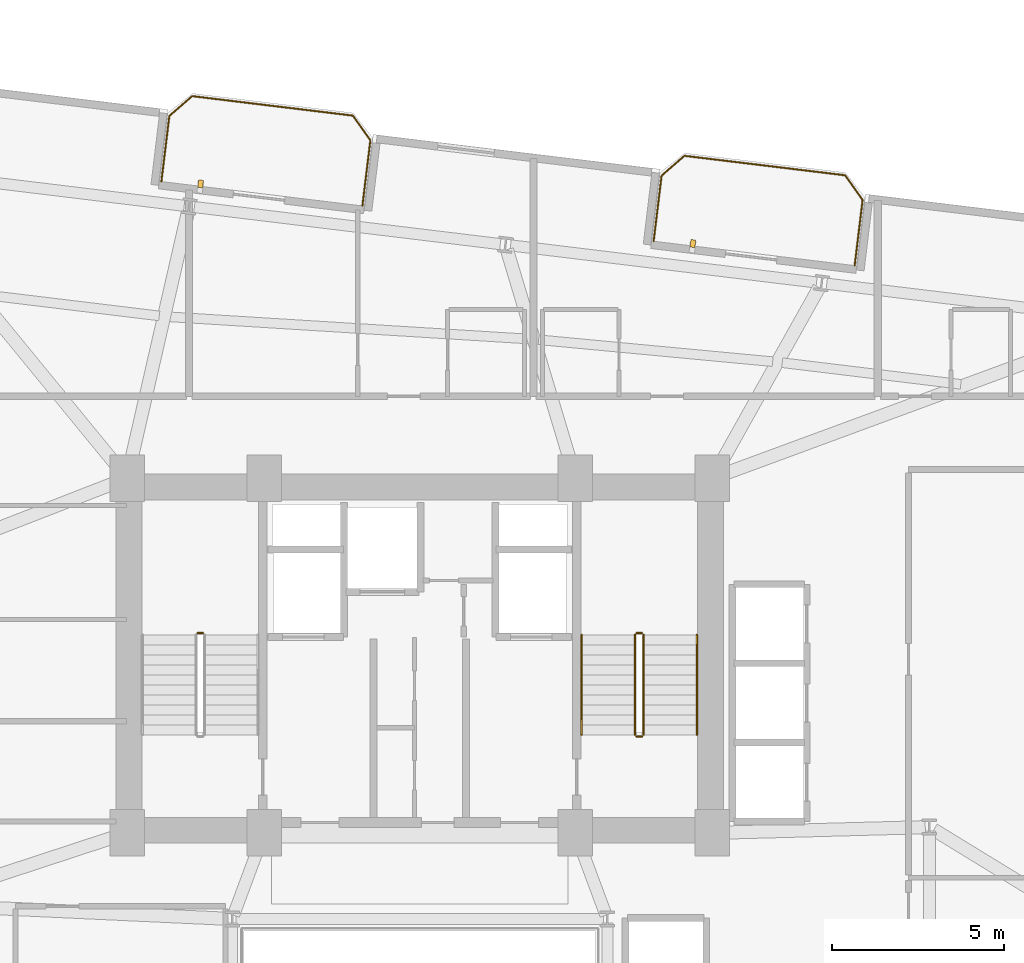
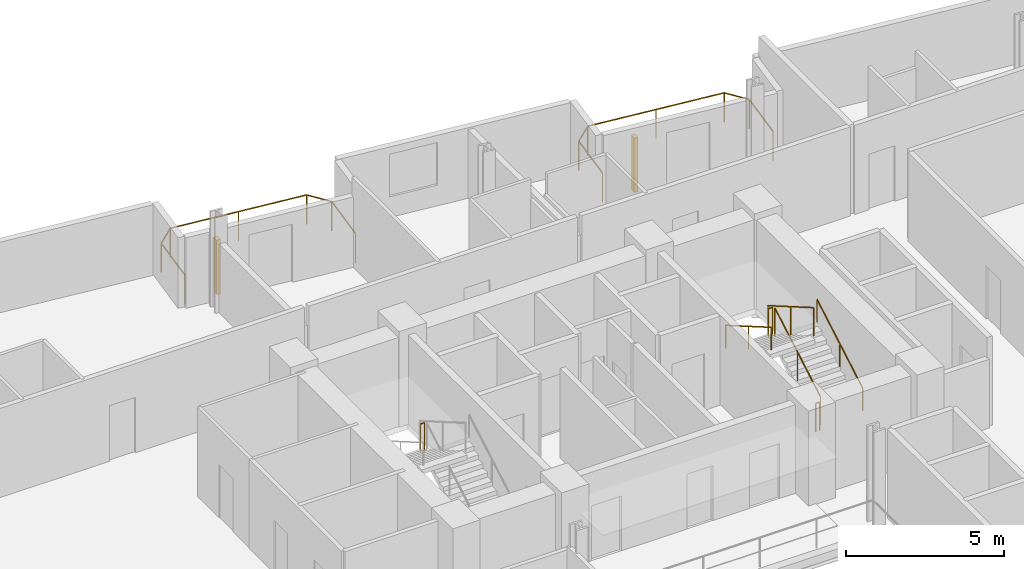
# One storey, part 26 of 26: 9 railings, 2 shading devices.
"""IFC4 building model written with IfcOpenShell, lengths in metres."""

from ifc_helpers import new_model, si_unit, direction, frame, origin, origin_2d, place, context, subcontext, project, spatial, rectangle, circle, extrude, source, transform, mapped, material, type_object, element, save


model = new_model("IFC4")

# Units and contexts
model_context = context("Model", 3, precision=1e-05, world=origin(), true_north=direction((0.0, 1.0)))
body_context = subcontext(model_context, "Body", "Model", "MODEL_VIEW")
ifc_project = project(units=[si_unit("LENGTHUNIT", "METRE"), si_unit("AREAUNIT", "SQUARE_METRE"), si_unit("VOLUMEUNIT", "CUBIC_METRE"), si_unit("PLANEANGLEUNIT", "RADIAN"), si_unit("MASSUNIT", "GRAM", prefix="KILO")], contexts=[model_context])

# Site, building, storey
site_placement = place(None, origin())
site = spatial("IfcSite", under=ifc_project, at=site_placement, CompositionType="ELEMENT")
building_placement = place(site_placement, origin())
building = spatial("IfcBuilding", under=site, at=building_placement, Name="Varnelok Gate Tower", CompositionType="ELEMENT")
storey_placement = place(building_placement, frame((0.0, 0.0, 125.39990234375)))
storey = spatial("IfcBuildingStorey", under=building, at=storey_placement, Name="L31", CompositionType="ELEMENT", Elevation=125.39990234375)

# Railings
ifc_material_1 = material(Name="Low-E Laminated Double Glazing IGU", Category="glass")
railing_type_1 = type_object("IfcRailingType", Name="RL-BALC-1150", PredefinedType="BALUSTRADE", material=ifc_material_1)
railing_1_placement = place(storey_placement, frame((31.697021484375, 47.66552734375, 0.0)))
element("IfcRailing", 1, at=railing_1_placement, inside=storey, type_object=railing_type_1, Name="L31 North Terrace Balustrade 3", PredefinedType="BALUSTRADE", context=body_context, shape_type="SweptSolid", body=[
    extrude(circle(Radius=0.02392578125, at=origin_2d()), frame((0.0, 0.0, 1.1259765625), z_axis=(0.120293392036, 0.992738384386, 0.0), x_axis=(-0.992738384386, 0.120293392036, 0.0)), (0.0, 0.0, 1.0), 1.919921875),
    extrude(circle(Radius=0.02392578125, at=origin_2d()), frame((0.23095703125, 1.906005859375, 1.1259765625), z_axis=(0.756422670136, 0.654083132411, 0.0), x_axis=(-0.654083132411, 0.756422670136, 0.0)), (0.0, 0.0, 1.0), 0.8779296875),
    extrude(circle(Radius=0.02392578125, at=origin_2d()), frame((0.89501953125, 2.480224609375, 1.1259765625), z_axis=(0.992730585037, -0.120357739811, 0.0), x_axis=(0.120357739811, 0.992730585037, 0.0)), (0.0, 0.0, 1.0), 4.699951171875),
    extrude(circle(Radius=0.02392578125, at=origin_2d()), frame((5.560791015625, 1.91455078125, 1.1259765625), z_axis=(0.578287426437, -0.81583310329, 0.0), x_axis=(0.81583310329, 0.578287426437, 0.0)), (0.0, 0.0, 1.0), 0.877685546875),
    extrude(circle(Radius=0.02392578125, at=origin_2d()), frame((6.068359375, 1.198486328125, 1.1259765625), z_axis=(-0.120418709125, -0.992723191274, 0.0), x_axis=(0.992723191274, -0.120418709125, 0.0)), (0.0, 0.0, 1.0), 1.919921875),
    extrude(circle(Radius=0.02099609375, at=origin_2d()), origin(), (0.0, 0.0, 1.0), 1.101806640625),
    extrude(circle(Radius=0.02099609375, at=origin_2d()), frame((0.23095703125, 1.906005859375, 0.0)), (0.0, 0.0, 1.0), 1.101806640625),
    extrude(circle(Radius=0.02099609375, at=origin_2d()), frame((0.89501953125, 2.480224609375, 0.0)), (0.0, 0.0, 1.0), 1.101806640625),
    extrude(circle(Radius=0.02099609375, at=origin_2d()), frame((3.22802734375, 2.197265625, 0.0)), (0.0, 0.0, 1.0), 1.101806640625),
    extrude(circle(Radius=0.02099609375, at=origin_2d()), frame((5.560791015625, 1.91455078125, 0.0)), (0.0, 0.0, 1.0), 1.101806640625),
    extrude(circle(Radius=0.02099609375, at=origin_2d()), frame((6.068359375, 1.198486328125, 0.0)), (0.0, 0.0, 1.0), 1.101806640625),
    extrude(circle(Radius=0.02099609375, at=origin_2d()), frame((5.837158203125, -0.70751953125, 0.0)), (0.0, 0.0, 1.0), 1.101806640625),
])
railing_2_placement = place(storey_placement, frame((45.992431640625, 45.9326171875, 0.0)))
element("IfcRailing", 2, at=railing_2_placement, inside=storey, type_object=railing_type_1, Name="L31 North Terrace Balustrade 4", PredefinedType="BALUSTRADE", context=body_context, shape_type="SweptSolid", body=[
    extrude(circle(Radius=0.02392578125, at=origin_2d()), frame((0.0, 0.0, 1.1259765625), z_axis=(0.120293392036, 0.992738384386, 0.0), x_axis=(-0.992738384386, 0.120293392036, 0.0)), (0.0, 0.0, 1.0), 1.919921875),
    extrude(circle(Radius=0.02392578125, at=origin_2d()), frame((0.23095703125, 1.906005859375, 1.1259765625), z_axis=(0.756422670136, 0.654083132411, 0.0), x_axis=(-0.654083132411, 0.756422670136, 0.0)), (0.0, 0.0, 1.0), 0.8779296875),
    extrude(circle(Radius=0.02392578125, at=origin_2d()), frame((0.89501953125, 2.480224609375, 1.1259765625), z_axis=(0.992730585037, -0.120357739811, 0.0), x_axis=(0.120357739811, 0.992730585037, 0.0)), (0.0, 0.0, 1.0), 4.699951171875),
    extrude(circle(Radius=0.02392578125, at=origin_2d()), frame((5.560791015625, 1.91455078125, 1.1259765625), z_axis=(0.57815621837, -0.815926091726, 0.0), x_axis=(0.815926091726, 0.57815621837, 0.0)), (0.0, 0.0, 1.0), 0.8779296875),
    extrude(circle(Radius=0.02392578125, at=origin_2d()), frame((6.068359375, 1.1982421875, 1.1259765625), z_axis=(-0.120418709125, -0.992723191274, 0.0), x_axis=(0.992723191274, -0.120418709125, 0.0)), (0.0, 0.0, 1.0), 1.919921875),
    extrude(circle(Radius=0.02099609375, at=origin_2d()), origin(), (0.0, 0.0, 1.0), 1.101806640625),
    extrude(circle(Radius=0.02099609375, at=origin_2d()), frame((0.23095703125, 1.906005859375, 0.0)), (0.0, 0.0, 1.0), 1.101806640625),
    extrude(circle(Radius=0.02099609375, at=origin_2d()), frame((0.89501953125, 2.480224609375, 0.0)), (0.0, 0.0, 1.0), 1.101806640625),
    extrude(circle(Radius=0.02099609375, at=origin_2d()), frame((3.22802734375, 2.197265625, 0.0)), (0.0, 0.0, 1.0), 1.101806640625),
    extrude(circle(Radius=0.02099609375, at=origin_2d()), frame((5.560791015625, 1.91455078125, 0.0)), (0.0, 0.0, 1.0), 1.101806640625),
    extrude(circle(Radius=0.02099609375, at=origin_2d()), frame((6.068359375, 1.1982421875, 0.0)), (0.0, 0.0, 1.0), 1.101806640625),
    extrude(circle(Radius=0.02099609375, at=origin_2d()), frame((5.837158203125, -0.707763671875, 0.0)), (0.0, 0.0, 1.0), 1.101806640625),
])
ifc_material_2 = material(Name="Brushed Stainless Steel AISI 316", Category="steel")
railing_type_2 = type_object("IfcRailingType", Name="RL-HANDRAIL-900", PredefinedType="HANDRAIL", material=ifc_material_2)
railing_3_placement = place(storey_placement, frame((47.25, 31.60009765625, 0.168212890625)))
element("IfcRailing", 3, at=railing_3_placement, inside=storey, type_object=railing_type_2, Name="L31 ST-2 stair handrail 1", PredefinedType="HANDRAIL", context=body_context, shape_type="SweptSolid", body=[
    extrude(circle(Radius=0.02392578125, at=origin_2d()), frame((0.0, 0.0, 0.8759765625), z_axis=(0.0, 0.865038774852, 0.501705010941), x_axis=(-1.0, 0.0, 0.0)), (0.0, 0.0, 1.0), 3.352294921875),
    extrude(circle(Radius=0.02099609375, at=origin_2d()), origin(), (0.0, 0.0, 1.0), 0.851806640625),
    extrude(circle(Radius=0.02099609375, at=origin_2d()), frame((0.0, 1.449951171875, 0.8408203125)), (0.0, 0.0, 1.0), 0.851806640625),
    extrude(circle(Radius=0.02099609375, at=origin_2d()), frame((0.0, 2.89990234375, 1.681884765625)), (0.0, 0.0, 1.0), 0.851806640625),
])
railing_4_placement = place(storey_placement, frame((43.89990234375, 34.5, 2.018310546875)))
element("IfcRailing", 4, at=railing_4_placement, inside=storey, type_object=railing_type_2, Name="L31 ST-2 stair handrail 2", PredefinedType="HANDRAIL", context=body_context, shape_type="SweptSolid", body=[
    extrude(circle(Radius=0.02392578125, at=origin_2d()), frame((0.0, 0.0, 0.8759765625), z_axis=(0.0, -0.865038774852, 0.501705010941), x_axis=(1.0, 0.0, 0.0)), (0.0, 0.0, 1.0), 3.352294921875),
    extrude(circle(Radius=0.02099609375, at=origin_2d()), origin(), (0.0, 0.0, 1.0), 0.851806640625),
    extrude(circle(Radius=0.02099609375, at=origin_2d()), frame((0.0, -1.449951171875, 0.8408203125)), (0.0, 0.0, 1.0), 0.851806640625),
    extrude(circle(Radius=0.02099609375, at=origin_2d()), frame((0.0, -2.89990234375, 1.681884765625)), (0.0, 0.0, 1.0), 0.851806640625),
])
ifc_material_3 = material(Name="Galvanized Steel Grade S350GD", Category="steel")
railing_type_3 = type_object("IfcRailingType", Name="RL-STAIR-GUARD1120", PredefinedType="GUARDRAIL", material=ifc_material_3)
railing_5_placement = place(storey_placement, frame((32.89990234375, 34.550048828125, 1.85009765625)))
element("IfcRailing", 5, at=railing_5_placement, inside=storey, type_object=railing_type_3, Name="L31 ST-1 stair guard 2", PredefinedType="GUARDRAIL", context=body_context, shape_type="SweptSolid", body=[
    extrude(circle(Radius=0.02392578125, at=origin_2d()), frame((0.0, 0.0, 1.09619140625), z_axis=(-1.0, 0.0, 0.0), x_axis=(0.0, -1.0, 0.0)), (0.0, 0.0, 1.0), 0.14990234375),
    extrude(circle(Radius=0.02099609375, at=origin_2d()), origin(), (0.0, 0.0, 1.0), 1.072021484375),
    extrude(circle(Radius=0.02099609375, at=origin_2d()), frame((-0.14990234375, 0.0, 0.0)), (0.0, 0.0, 1.0), 1.072021484375),
])
railing_6_placement = place(storey_placement, frame((45.699951171875, 31.60009765625, 0.168212890625)))
element("IfcRailing", 6, at=railing_6_placement, inside=storey, type_object=railing_type_3, Name="L31 ST-2 stair guard 1", PredefinedType="GUARDRAIL", context=body_context, shape_type="SweptSolid", body=[
    extrude(circle(Radius=0.02392578125, at=origin_2d()), frame((0.0, 0.0, 1.09619140625), z_axis=(0.0, 0.865038774852, 0.501705010941), x_axis=(-1.0, 0.0, 0.0)), (0.0, 0.0, 1.0), 3.352294921875),
    extrude(circle(Radius=0.02099609375, at=origin_2d()), origin(), (0.0, 0.0, 1.0), 1.072021484375),
    extrude(circle(Radius=0.02099609375, at=origin_2d()), frame((0.0, 1.449951171875, 0.8408203125)), (0.0, 0.0, 1.0), 1.072021484375),
    extrude(circle(Radius=0.02099609375, at=origin_2d()), frame((0.0, 2.89990234375, 1.681884765625)), (0.0, 0.0, 1.0), 1.072021484375),
])
railing_7_placement = place(storey_placement, frame((45.64990234375, 34.550048828125, 1.85009765625)))
element("IfcRailing", 7, at=railing_7_placement, inside=storey, type_object=railing_type_3, Name="L31 ST-2 stair guard 2", PredefinedType="GUARDRAIL", context=body_context, shape_type="SweptSolid", body=[
    extrude(circle(Radius=0.02392578125, at=origin_2d()), frame((0.0, 0.0, 1.09619140625), z_axis=(-1.0, 0.0, 0.0), x_axis=(0.0, -1.0, 0.0)), (0.0, 0.0, 1.0), 0.14990234375),
    extrude(circle(Radius=0.02099609375, at=origin_2d()), origin(), (0.0, 0.0, 1.0), 1.072021484375),
    extrude(circle(Radius=0.02099609375, at=origin_2d()), frame((-0.14990234375, 0.0, 0.0)), (0.0, 0.0, 1.0), 1.072021484375),
])
railing_8_placement = place(storey_placement, frame((45.449951171875, 34.5, 2.018310546875)))
element("IfcRailing", 8, at=railing_8_placement, inside=storey, type_object=railing_type_3, Name="L31 ST-2 stair guard 3", PredefinedType="GUARDRAIL", context=body_context, shape_type="SweptSolid", body=[
    extrude(circle(Radius=0.02392578125, at=origin_2d()), frame((0.0, 0.0, 1.09619140625), z_axis=(0.0, -0.865038774852, 0.501705010941), x_axis=(1.0, 0.0, 0.0)), (0.0, 0.0, 1.0), 3.352294921875),
    extrude(circle(Radius=0.02099609375, at=origin_2d()), origin(), (0.0, 0.0, 1.0), 1.072021484375),
    extrude(circle(Radius=0.02099609375, at=origin_2d()), frame((0.0, -1.449951171875, 0.8408203125)), (0.0, 0.0, 1.0), 1.072021484375),
    extrude(circle(Radius=0.02099609375, at=origin_2d()), frame((0.0, -2.89990234375, 1.681884765625)), (0.0, 0.0, 1.0), 1.072021484375),
])
railing_9_placement = place(storey_placement, frame((45.64990234375, 31.550048828125, 0.0)))
element("IfcRailing", 9, at=railing_9_placement, inside=storey, type_object=railing_type_3, Name="L31 ST-2 stair guard 4", PredefinedType="GUARDRAIL", context=body_context, shape_type="SweptSolid", body=[
    extrude(circle(Radius=0.02392578125, at=origin_2d()), frame((0.0, 0.0, 1.09619140625), z_axis=(-1.0, 0.0, 0.0), x_axis=(0.0, -1.0, 0.0)), (0.0, 0.0, 1.0), 0.14990234375),
    extrude(circle(Radius=0.02099609375, at=origin_2d()), origin(), (0.0, 0.0, 1.0), 1.072021484375),
    extrude(circle(Radius=0.02099609375, at=origin_2d()), frame((-0.14990234375, 0.0, 0.0)), (0.0, 0.0, 1.0), 1.072021484375),
])

# Shading devices
ifc_material_4 = material(Name="Glazed Architectural Terracotta Ceramic", Category="masonry")
shading_device_type = type_object("IfcShadingDeviceType", Name="SHD-TERRA-FIN", PredefinedType="USERDEFINED", material=ifc_material_4)
shared_shape = source(origin(), body_context, "Body", "SweptSolid", [
    extrude(rectangle(XDim=0.139892578125, YDim=0.219970703125, at=origin_2d()), origin(), (0.0, 0.0, 1.0), 2.10009765625),
])
for number, where, z_axis, x_axis, name in (
    (10, (32.837158203125, 47.597900390625, 0.10009765625), (0.0, 0.0, 1.0), (0.992732158755, -0.12034475881, 0.0), "L31 Terracotta Ceramic Baguette Sunscreen 3.1"),
    (11, (47.132568359375, 45.86474609375, 0.10009765625), (0.0, 0.0, 1.0), (0.992732158755, -0.12034475881, 0.0), "L31 Terracotta Ceramic Baguette Sunscreen 4.1"),
):
    element("IfcShadingDevice", number, at=place(storey_placement, frame(where, z_axis=z_axis, x_axis=x_axis)), inside=storey, type_object=shading_device_type, Name=name, ObjectType="BAGUETTE", PredefinedType="USERDEFINED", context=body_context, shape_type="MappedRepresentation", body=[
        mapped(shared_shape, transform((0.0, 0.0, 0.0), scale=1.0)),
    ])

save(model, "model.ifc")
